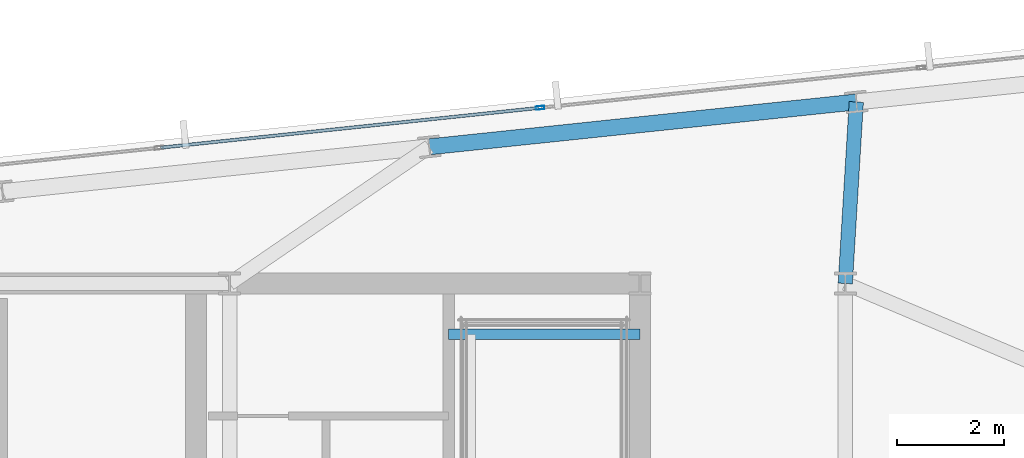
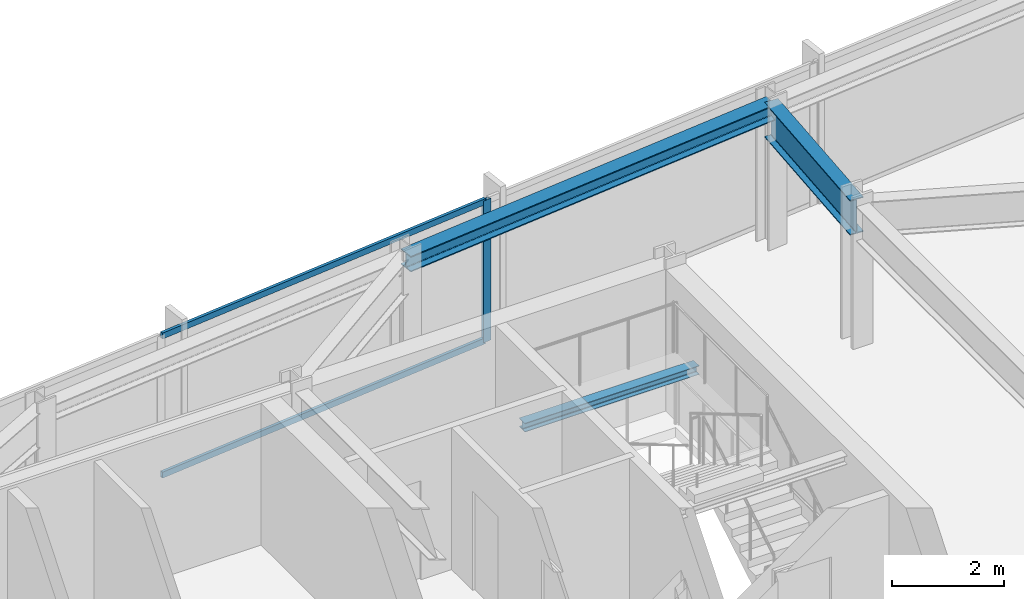
# One storey, part 23 of 32: 3 beams, 3 members, 1 element without a shape of its own.
"""IFC4 building model written with IfcOpenShell, lengths in metres."""

from ifc_helpers import new_model, si_unit, direction, frame, origin, origin_2d, place, context, subcontext, project, spatial, hollow_rectangle, i_section, extrude, material, material_profile, profile_set, type_object, element, aggregate, save


model = new_model("IFC4")

# Units and contexts
model_context = context("Model", 3, precision=1e-05, world=origin(), true_north=direction((0.0, 1.0)))
body_context = subcontext(model_context, "Body", "Model", "MODEL_VIEW")
ifc_project = project(units=[si_unit("LENGTHUNIT", "METRE"), si_unit("AREAUNIT", "SQUARE_METRE"), si_unit("VOLUMEUNIT", "CUBIC_METRE"), si_unit("PLANEANGLEUNIT", "RADIAN"), si_unit("MASSUNIT", "GRAM", prefix="KILO")], contexts=[model_context])

# Site, building, storey
site_placement = place(None, origin())
site = spatial("IfcSite", under=ifc_project, at=site_placement, CompositionType="ELEMENT")
building_placement = place(site_placement, origin())
building = spatial("IfcBuilding", under=site, at=building_placement, Name="Yelkora Congress Tower", CompositionType="ELEMENT")
storey_placement = place(building_placement, frame((0.0, 0.0, 214.39990234375)))
storey = spatial("IfcBuildingStorey", under=building, at=storey_placement, Name="L59", CompositionType="ELEMENT", Elevation=214.39990234375)

# Beams
ifc_material_1 = material(Name="Steel S355J2", Category="steel")
ifc_material_profile_1 = material_profile(ifc_material_1, i_section(OverallWidth=0.26708984375, OverallDepth=0.761962890625, WebThickness=0.014404296875, FlangeThickness=0.021484375, FilletRadius=0.01708984375, at=origin_2d()), Name="IPE 750x173")
ifc_profile_set_1 = profile_set([ifc_material_profile_1], Name="Steel S355J2")
beam_type_1 = type_object("IfcBeamType", Name="BM-GIRD-IPE750", PredefinedType="BEAM", material=ifc_profile_set_1)
beam_1_placement = place(storey_placement, frame((57.806640625, 49.5966796875, 2.69921875), z_axis=(-0.060694337224, -0.998156399283, 0.0), x_axis=(0.998156399283, -0.060694337224, 0.0)))
element("IfcBeam", 1, at=beam_1_placement, inside=storey, type_object=beam_type_1, Name="L59 Primary Frame Girder N06", PredefinedType="BEAM", context=body_context, shape_type="SweptSolid", body=[
    extrude(i_section(OverallWidth=0.26708984375, OverallDepth=0.761962890625, WebThickness=0.014404296875, FlangeThickness=0.021484375, FilletRadius=0.01708984375, at=origin_2d()), origin(), (0.0, 0.0, 1.0), 3.403076171875),
])
ifc_material_profile_2 = material_profile(ifc_material_1, i_section(OverallWidth=0.199951171875, OverallDepth=0.18994140625, WebThickness=0.006591796875, FlangeThickness=0.010009765625, FilletRadius=0.01806640625, at=origin_2d()), Name="HEA 200")
ifc_profile_set_2 = profile_set([ifc_material_profile_2], Name="Steel S355J2")
beam_type_2 = type_object("IfcBeamType", Name="BM-LAND-HEA200", PredefinedType="BEAM", material=ifc_profile_set_2)
beam_2_placement = place(storey_placement, frame((50.179931640625, 45.25, 1.334716796875), z_axis=(1.0, 0.0, 0.0), x_axis=(0.0, 1.0, 0.0)))
element("IfcBeam", 2, at=beam_2_placement, inside=storey, type_object=beam_type_2, Name="ST-02 L59 Landing Header Beam 1N", PredefinedType="BEAM", context=body_context, shape_type="SweptSolid", body=[
    extrude(i_section(OverallWidth=0.199951171875, OverallDepth=0.18994140625, WebThickness=0.006591796875, FlangeThickness=0.010009765625, FilletRadius=0.01806640625, at=origin_2d()), origin(), (0.0, 0.0, 1.0), 3.580078125),
])
ifc_material_profile_3 = material_profile(ifc_material_1, i_section(OverallWidth=0.300048828125, OverallDepth=0.340087890625, WebThickness=0.011962890625, FlangeThickness=0.021484375, FilletRadius=0.027099609375, at=origin_2d()), Name="HEB 340")
ifc_profile_set_3 = profile_set([ifc_material_profile_3], Name="Steel S355J2")
beam_type_3 = type_object("IfcBeamType", Name="BM-SPAN-HEB340", PredefinedType="SPANDREL", material=ifc_profile_set_3)
beam_3_placement = place(storey_placement, frame((57.806640625, 49.5966796875, 2.91015625), z_axis=(-0.994523256947, -0.104515507904, 0.0), x_axis=(0.104515507904, -0.994523256947, 0.0)))
element("IfcBeam", 3, at=beam_3_placement, inside=storey, type_object=beam_type_3, Name="L59 Perimeter Beam 14", PredefinedType="SPANDREL", context=body_context, shape_type="SweptSolid", body=[
    extrude(i_section(OverallWidth=0.300048828125, OverallDepth=0.340087890625, WebThickness=0.011962890625, FlangeThickness=0.021484375, FilletRadius=0.027099609375, at=origin_2d()), origin(), (0.0, 0.0, 1.0), 8.033203125),
])

# Curtain wall, members
ifc_material_2 = material(Name="Anodised aluminium and insulated glass", Category="aluminium")
curtain_wall_type = type_object("IfcCurtainWallType", Name="CW-SYS-B4", PredefinedType="NOTDEFINED", material=ifc_material_2)
curtain_wall_placement = place(storey_placement, origin())
curtain_wall = element("IfcCurtainWall", 4, at=curtain_wall_placement, inside=storey, type_object=curtain_wall_type, Name="L59 Unitised Curtain Wall 10 (3)", PredefinedType="NOTDEFINED")
ifc_material_3 = material(Name="Anodised aluminium 6063-T6", Category="aluminium")
ifc_material_profile_4 = material_profile(ifc_material_3, hollow_rectangle(XDim=0.06494140625, YDim=0.159912109375, WallThickness=0.00390625, at=origin_2d()), Name="ALU 65x160x4")
ifc_profile_set_4 = profile_set([ifc_material_profile_4], Name="Anodised aluminium 6063-T6")
member_type_1 = type_object("IfcMemberType", Name="MEM-ML-B4", PredefinedType="MULLION", material=ifc_profile_set_4)
member_1_placement = place(storey_placement, frame((51.888916015625, 49.487548828125, 0.0), z_axis=(0.0, 0.0, 1.0), x_axis=(-0.104527724021, 0.994521973066, 0.0)))
member_1 = element("IfcMember", 5, at=member_1_placement, type_object=member_type_1, Name="CW-B4 mullion 5", PredefinedType="MULLION", context=body_context, shape_type="SweptSolid", body=[
    extrude(hollow_rectangle(XDim=0.06494140625, YDim=0.159912109375, WallThickness=0.00390625, at=origin_2d()), origin(), (0.0, 0.0, 1.0), 3.080078125),
])
ifc_material_profile_5 = material_profile(ifc_material_3, hollow_rectangle(XDim=0.06005859375, YDim=0.1298828125, WallThickness=0.00390625, at=origin_2d()), Name="ALU 60x130x4")
ifc_profile_set_5 = profile_set([ifc_material_profile_5], Name="Anodised aluminium 6063-T6")
member_type_2 = type_object("IfcMemberType", Name="MEM-TR-B4", PredefinedType="USERDEFINED", material=ifc_profile_set_5)
member_2_placement = place(storey_placement, frame((44.79052734375, 48.74169921875, 0.030029296875), z_axis=(0.99452200925, 0.104527379751, 0.0), x_axis=(-0.104527379751, 0.99452200925, 0.0)))
member_2 = element("IfcMember", 6, at=member_2_placement, type_object=member_type_2, Name="CW-B4 transom 4.1", ObjectType="TRANSOM", PredefinedType="USERDEFINED", context=body_context, shape_type="SweptSolid", body=[
    extrude(hollow_rectangle(XDim=0.06005859375, YDim=0.1298828125, WallThickness=0.00390625, at=origin_2d()), origin(), (0.0, 0.0, 1.0), 7.10498046875),
])
member_3_placement = place(storey_placement, frame((44.79052734375, 48.74169921875, 3.050048828125), z_axis=(0.99452200925, 0.104527379751, 0.0), x_axis=(-0.104527379751, 0.99452200925, 0.0)))
member_3 = element("IfcMember", 7, at=member_3_placement, type_object=member_type_2, Name="CW-B4 transom 4.2", ObjectType="TRANSOM", PredefinedType="USERDEFINED", context=body_context, shape_type="SweptSolid", body=[
    extrude(hollow_rectangle(XDim=0.06005859375, YDim=0.1298828125, WallThickness=0.00390625, at=origin_2d()), origin(), (0.0, 0.0, 1.0), 7.10498046875),
])
aggregate(curtain_wall, [member_1, member_2, member_3])

save(model, "model.ifc")
